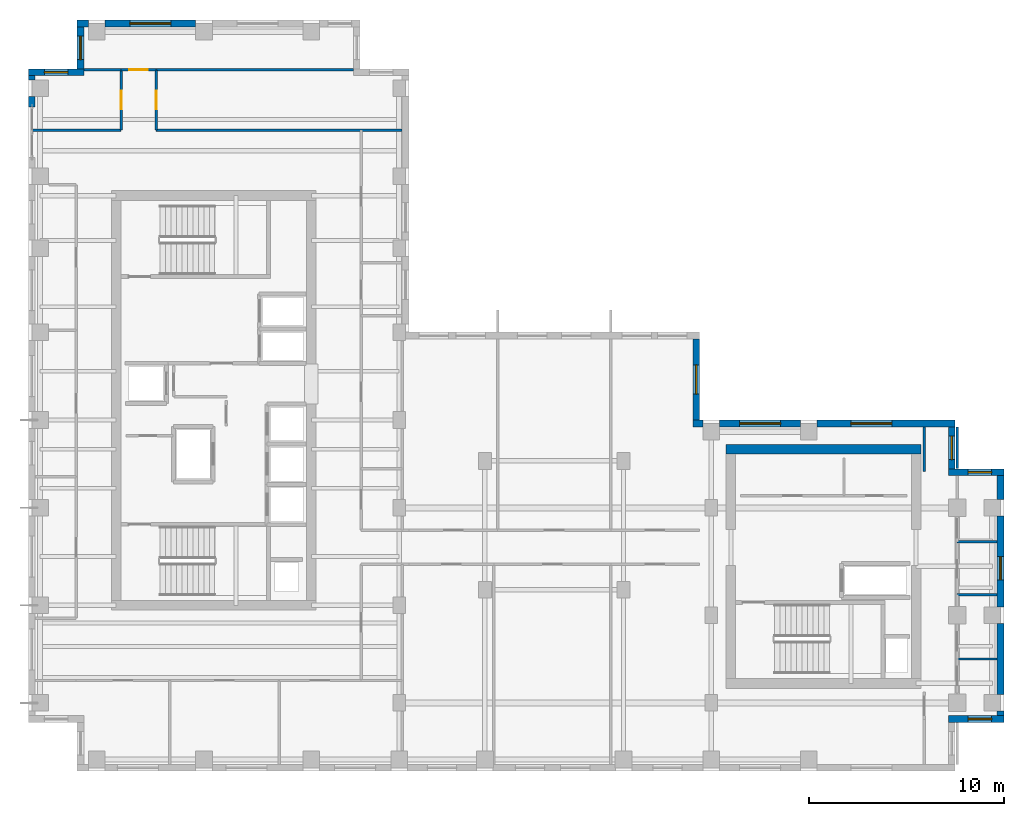
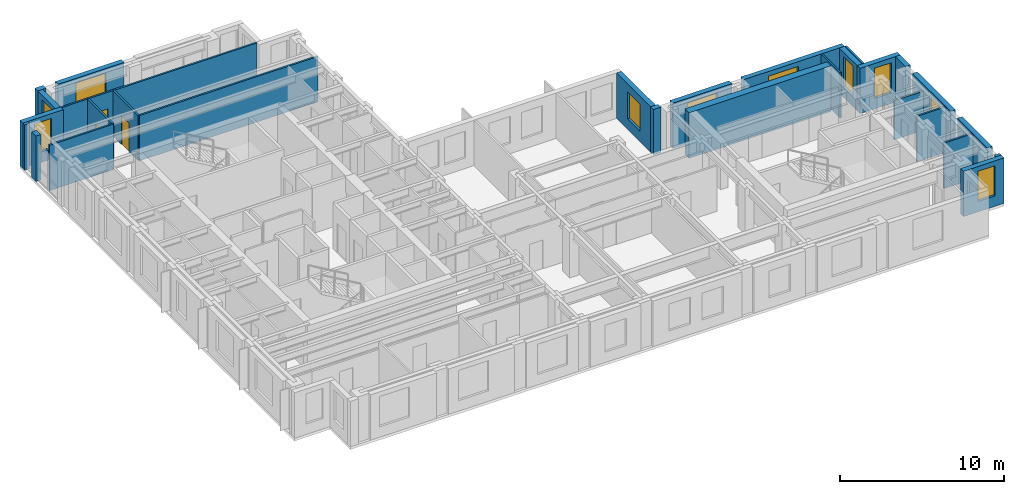
# One storey, part 10 of 13: 30 walls, 10 windows, 3 doors, 13 openings.
"""IFC4 building model written with IfcOpenShell, lengths in metres."""

from ifc_helpers import new_model, si_unit, direction, frame, frame_2d, origin, place, context, subcontext, project, spatial, rectangle, extrude, source, transform, mapped, material, layer, layer_set, type_object, element, fill, save


model = new_model("IFC4")

# Units and contexts
model_context = context("Model", 3, precision=1e-05, world=origin(), true_north=direction((0.0, 1.0)))
body_context = subcontext(model_context, "Body", "Model", "MODEL_VIEW")
ifc_project = project(units=[si_unit("LENGTHUNIT", "METRE"), si_unit("AREAUNIT", "SQUARE_METRE"), si_unit("VOLUMEUNIT", "CUBIC_METRE"), si_unit("PLANEANGLEUNIT", "RADIAN"), si_unit("MASSUNIT", "GRAM", prefix="KILO")], contexts=[model_context])

# Site, building, storey
site_placement = place(None, origin())
site = spatial("IfcSite", under=ifc_project, at=site_placement, CompositionType="ELEMENT")
building_placement = place(site_placement, origin())
building = spatial("IfcBuilding", under=site, at=building_placement, Name="Kharzan Plaza Tower", CompositionType="ELEMENT")
storey_placement = place(building_placement, frame((0.0, 0.0, 252.0)))
storey = spatial("IfcBuildingStorey", under=building, at=storey_placement, Name="L68", CompositionType="ELEMENT", Elevation=252.0)

# Wall, opening, window
ifc_material_1 = material(Name="Concrete C40/50", Category="concrete")
ifc_layer_1 = layer(ifc_material_1, 0.35009765625)
ifc_layer_set_1 = layer_set([ifc_layer_1], Name="Concrete C40/50")
wall_type_1 = type_object("IfcWallType", Name="WL-EXT-MAS-Z4", PredefinedType="SOLIDWALL", material=ifc_layer_set_1)
wall_1_placement = place(storey_placement, frame((8.576904296875, 38.324951171875, 0.0), z_axis=(0.0, 0.0, 1.0), x_axis=(-1.0, 0.0, 0.0)))
wall_1 = element("IfcWall", 1, at=wall_1_placement, inside=storey, type_object=wall_type_1, Name="L68 Masonry-Frame Exterior Wall 10", PredefinedType="SOLIDWALL", context=body_context, shape_type="SweptSolid", body=[
    extrude(rectangle(XDim=4.65380859375, YDim=0.35009765625, at=frame_2d((2.326904296875, 0.0))), origin(), (0.0, 0.0, 1.0), 3.385009765625),
])
opening_1_placement = place(wall_1_placement, frame((1.277099609375, 0.0, 0.780029296875)))
opening_1 = element("IfcOpeningElement", 2, at=opening_1_placement, cuts=wall_1, Name="Opening W6", PredefinedType="OPENING", context=body_context, shape_type="SweptSolid", body=[
    extrude(rectangle(XDim=2.10009765625, YDim=2.25, at=frame_2d((1.050048828125, 1.125))), frame((0.0, 0.18505859375, 0.0), z_axis=(0.0, -1.0, 0.0), x_axis=(1.0, 0.0, 0.0)), (0.0, 0.0, 1.0), 0.3701171875),
])
ifc_material_2 = material(Name="Low-E Double Glazing", Category="glass")
window_type_1 = type_object("IfcWindowType", Name="WN-EXEC-2100x2250", PartitioningType="SINGLE_PANEL", PredefinedType="WINDOW", material=ifc_material_2)
shared_shape_1 = source(origin(), body_context, "Body", "SweptSolid", [
    extrude(rectangle(XDim=2.10009765625, YDim=2.25, at=frame_2d((1.050048828125, 1.125))), frame((0.0, 0.030029296875, 0.0), z_axis=(0.0, -1.0, 0.0), x_axis=(1.0, 0.0, 0.0)), (0.0, 0.0, 1.0), 0.06005859375),
])
window_1_placement = place(opening_1_placement, origin())
window_1 = element("IfcWindow", 3, at=window_1_placement, inside=storey, type_object=window_type_1, Name="L68 Recessed Solar-Control Window 10-1", OverallHeight=2.25, OverallWidth=2.10009765625, PartitioningType="SINGLE_PANEL", PredefinedType="WINDOW", context=body_context, shape_type="MappedRepresentation", body=[
    mapped(shared_shape_1, transform((0.0, 0.0, 0.0), x_axis=(1.0, 0.0, 0.0), y_axis=(0.0, 1.0, 0.0), z_axis=(0.0, 0.0, 1.0))),
])
fill(opening_1, window_1)

wall_2_placement = place(storey_placement, frame((2.675048828125, 38.152099609375, 0.0), z_axis=(0.0, 0.0, 1.0), x_axis=(0.0, -1.0, 0.0)))
wall_2 = element("IfcWall", 4, at=wall_2_placement, inside=storey, type_object=wall_type_1, Name="L68 Masonry-Frame Exterior Wall 12", PredefinedType="SOLIDWALL", context=body_context, shape_type="SweptSolid", body=[
    extrude(rectangle(XDim=2.154052734375, YDim=0.35009765625, at=frame_2d((1.0771484375, 0.0))), origin(), (0.0, 0.0, 1.0), 3.385009765625),
])
opening_2_placement = place(wall_2_placement, frame((0.47705078125, 0.0, 0.780029296875)))
opening_2 = element("IfcOpeningElement", 5, at=opening_2_placement, cuts=wall_2, Name="Opening W3", PredefinedType="OPENING", context=body_context, shape_type="SweptSolid", body=[
    extrude(rectangle(XDim=1.199951171875, YDim=2.25, at=frame_2d((0.60009765625, 1.125))), frame((0.0, 0.18505859375, 0.0), z_axis=(0.0, -1.0, 0.0), x_axis=(1.0, 0.0, 0.0)), (0.0, 0.0, 1.0), 0.3701171875),
])
window_type_2 = type_object("IfcWindowType", Name="WN-REC-1200x2100", PartitioningType="SINGLE_PANEL", PredefinedType="WINDOW", material=ifc_material_2)
shared_shape_2 = source(origin(), body_context, "Body", "SweptSolid", [
    extrude(rectangle(XDim=1.199951171875, YDim=2.25, at=frame_2d((0.60009765625, 1.125))), frame((0.0, 0.030029296875, 0.0), z_axis=(0.0, -1.0, 0.0), x_axis=(1.0, 0.0, 0.0)), (0.0, 0.0, 1.0), 0.06005859375),
])
window_2_placement = place(opening_2_placement, origin())
window_2 = element("IfcWindow", 6, at=window_2_placement, inside=storey, type_object=window_type_2, Name="L68 Recessed Solar-Control Window 12-1", OverallHeight=2.25, OverallWidth=1.199951171875, PartitioningType="SINGLE_PANEL", PredefinedType="WINDOW", context=body_context, shape_type="MappedRepresentation", body=[
    mapped(shared_shape_2, transform((0.0, 0.0, 0.0), x_axis=(1.0, 0.0, 0.0), y_axis=(0.0, 1.0, 0.0), z_axis=(0.0, 0.0, 1.0))),
])
fill(opening_2, window_2)

wall_3_placement = place(storey_placement, frame((2.85009765625, 35.824951171875, 0.0), z_axis=(0.0, 0.0, 1.0), x_axis=(-1.0, 0.0, 0.0)))
wall_3 = element("IfcWall", 7, at=wall_3_placement, inside=storey, type_object=wall_type_1, Name="L68 Masonry-Frame Exterior Wall 13", PredefinedType="SOLIDWALL", context=body_context, shape_type="SweptSolid", body=[
    extrude(rectangle(XDim=2.85009765625, YDim=0.35009765625, at=frame_2d((1.425048828125, 0.0))), origin(), (0.0, 0.0, 1.0), 3.385009765625),
])
opening_3_placement = place(wall_3_placement, frame((0.824951171875, 0.0, 0.780029296875)))
opening_3 = element("IfcOpeningElement", 8, at=opening_3_placement, cuts=wall_3, Name="Opening W3", PredefinedType="OPENING", context=body_context, shape_type="SweptSolid", body=[
    extrude(rectangle(XDim=1.199951171875, YDim=2.25, at=frame_2d((0.60009765625, 1.125))), frame((0.0, 0.18505859375, 0.0), z_axis=(0.0, -1.0, 0.0), x_axis=(1.0, 0.0, 0.0)), (0.0, 0.0, 1.0), 0.3701171875),
])
window_3_placement = place(opening_3_placement, origin())
window_3 = element("IfcWindow", 9, at=window_3_placement, inside=storey, type_object=window_type_2, Name="L68 Recessed Solar-Control Window 13-1", OverallHeight=2.25, OverallWidth=1.199951171875, PartitioningType="SINGLE_PANEL", PredefinedType="WINDOW", context=body_context, shape_type="MappedRepresentation", body=[
    mapped(shared_shape_2, transform((0.0, 0.0, 0.0), x_axis=(1.0, 0.0, 0.0), y_axis=(0.0, 1.0, 0.0), z_axis=(0.0, 0.0, 1.0))),
])
fill(opening_3, window_3)

wall_4_placement = place(storey_placement, frame((47.14990234375, 2.675048828125, 0.0), z_axis=(0.0, 0.0, 1.0), x_axis=(1.0, 0.0, 0.0)))
wall_4 = element("IfcWall", 10, at=wall_4_placement, inside=storey, type_object=wall_type_1, Name="L68 Masonry-Frame Exterior Wall 36", PredefinedType="SOLIDWALL", context=body_context, shape_type="SweptSolid", body=[
    extrude(rectangle(XDim=2.85009765625, YDim=0.35009765625, at=frame_2d((1.425048828125, 0.0))), origin(), (0.0, 0.0, 1.0), 3.385009765625),
])
opening_4_placement = place(wall_4_placement, frame((1.014892578125, 0.0, 0.780029296875)))
opening_4 = element("IfcOpeningElement", 11, at=opening_4_placement, cuts=wall_4, Name="Opening W3", PredefinedType="OPENING", context=body_context, shape_type="SweptSolid", body=[
    extrude(rectangle(XDim=1.199951171875, YDim=2.25, at=frame_2d((0.60009765625, 1.125))), frame((0.0, 0.18505859375, 0.0), z_axis=(0.0, -1.0, 0.0), x_axis=(1.0, 0.0, 0.0)), (0.0, 0.0, 1.0), 0.3701171875),
])
window_4_placement = place(opening_4_placement, origin())
window_4 = element("IfcWindow", 12, at=window_4_placement, inside=storey, type_object=window_type_2, Name="L68 Recessed Solar-Control Window 36-1", OverallHeight=2.25, OverallWidth=1.199951171875, PartitioningType="SINGLE_PANEL", PredefinedType="WINDOW", context=body_context, shape_type="MappedRepresentation", body=[
    mapped(shared_shape_2, transform((0.0, 0.0, 0.0), x_axis=(1.0, 0.0, 0.0), y_axis=(0.0, 1.0, 0.0), z_axis=(0.0, 0.0, 1.0))),
])
fill(opening_4, window_4)

wall_5_placement = place(storey_placement, frame((49.824951171875, 8.423095703125, 0.0), z_axis=(0.0, 0.0, 1.0), x_axis=(0.0, 1.0, 0.0)))
wall_5 = element("IfcWall", 13, at=wall_5_placement, inside=storey, type_object=wall_type_1, Name="L68 Masonry-Frame Exterior Wall 39", PredefinedType="SOLIDWALL", context=body_context, shape_type="SweptSolid", body=[
    extrude(rectangle(XDim=4.65380859375, YDim=0.35009765625, at=frame_2d((2.326904296875, 0.0))), origin(), (0.0, 0.0, 1.0), 3.385009765625),
])
opening_5_placement = place(wall_5_placement, frame((1.376953125, 0.0, 0.780029296875)))
opening_5 = element("IfcOpeningElement", 14, at=opening_5_placement, cuts=wall_5, Name="Opening W3", PredefinedType="OPENING", context=body_context, shape_type="SweptSolid", body=[
    extrude(rectangle(XDim=1.199951171875, YDim=2.25, at=frame_2d((0.60009765625, 1.125))), frame((0.0, 0.18505859375, 0.0), z_axis=(0.0, -1.0, 0.0), x_axis=(1.0, 0.0, 0.0)), (0.0, 0.0, 1.0), 0.3701171875),
])
window_5_placement = place(opening_5_placement, origin())
window_5 = element("IfcWindow", 15, at=window_5_placement, inside=storey, type_object=window_type_2, Name="L68 Recessed Solar-Control Window 39-1", OverallHeight=2.25, OverallWidth=1.199951171875, PartitioningType="SINGLE_PANEL", PredefinedType="WINDOW", context=body_context, shape_type="MappedRepresentation", body=[
    mapped(shared_shape_2, transform((0.0, 0.0, 0.0), x_axis=(1.0, 0.0, 0.0), y_axis=(0.0, 1.0, 0.0), z_axis=(0.0, 0.0, 1.0))),
])
fill(opening_5, window_5)

wall_6_placement = place(storey_placement, frame((50.0, 15.324951171875, 0.0), z_axis=(0.0, 0.0, 1.0), x_axis=(-1.0, 0.0, 0.0)))
wall_6 = element("IfcWall", 16, at=wall_6_placement, inside=storey, type_object=wall_type_1, Name="L68 Masonry-Frame Exterior Wall 41", PredefinedType="SOLIDWALL", context=body_context, shape_type="SweptSolid", body=[
    extrude(rectangle(XDim=2.85009765625, YDim=0.35009765625, at=frame_2d((1.425048828125, 0.0))), origin(), (0.0, 0.0, 1.0), 3.385009765625),
])
opening_6_placement = place(wall_6_placement, frame((0.635009765625, 0.0, 0.780029296875)))
opening_6 = element("IfcOpeningElement", 17, at=opening_6_placement, cuts=wall_6, Name="Opening W3", PredefinedType="OPENING", context=body_context, shape_type="SweptSolid", body=[
    extrude(rectangle(XDim=1.199951171875, YDim=2.25, at=frame_2d((0.60009765625, 1.125))), frame((0.0, 0.18505859375, 0.0), z_axis=(0.0, -1.0, 0.0), x_axis=(1.0, 0.0, 0.0)), (0.0, 0.0, 1.0), 0.3701171875),
])
window_6_placement = place(opening_6_placement, origin())
window_6 = element("IfcWindow", 18, at=window_6_placement, inside=storey, type_object=window_type_2, Name="L68 Recessed Solar-Control Window 41-1", OverallHeight=2.25, OverallWidth=1.199951171875, PartitioningType="SINGLE_PANEL", PredefinedType="WINDOW", context=body_context, shape_type="MappedRepresentation", body=[
    mapped(shared_shape_2, transform((0.0, 0.0, 0.0), x_axis=(1.0, 0.0, 0.0), y_axis=(0.0, 1.0, 0.0), z_axis=(0.0, 0.0, 1.0))),
])
fill(opening_6, window_6)

wall_7_placement = place(storey_placement, frame((47.324951171875, 15.498046875, 0.0), z_axis=(0.0, 0.0, 1.0), x_axis=(0.0, 1.0, 0.0)))
wall_7 = element("IfcWall", 19, at=wall_7_placement, inside=storey, type_object=wall_type_1, Name="L68 Masonry-Frame Exterior Wall 42", PredefinedType="SOLIDWALL", context=body_context, shape_type="SweptSolid", body=[
    extrude(rectangle(XDim=2.154052734375, YDim=0.35009765625, at=frame_2d((1.0771484375, 0.0))), origin(), (0.0, 0.0, 1.0), 3.385009765625),
])
opening_7_placement = place(wall_7_placement, frame((0.47705078125, 0.0, 0.780029296875)))
opening_7 = element("IfcOpeningElement", 20, at=opening_7_placement, cuts=wall_7, Name="Opening W3", PredefinedType="OPENING", context=body_context, shape_type="SweptSolid", body=[
    extrude(rectangle(XDim=1.199951171875, YDim=2.25, at=frame_2d((0.60009765625, 1.125))), frame((0.0, 0.18505859375, 0.0), z_axis=(0.0, -1.0, 0.0), x_axis=(1.0, 0.0, 0.0)), (0.0, 0.0, 1.0), 0.3701171875),
])
window_7_placement = place(opening_7_placement, origin())
window_7 = element("IfcWindow", 21, at=window_7_placement, inside=storey, type_object=window_type_2, Name="L68 Recessed Solar-Control Window 42-1", OverallHeight=2.25, OverallWidth=1.199951171875, PartitioningType="SINGLE_PANEL", PredefinedType="WINDOW", context=body_context, shape_type="MappedRepresentation", body=[
    mapped(shared_shape_2, transform((0.0, 0.0, 0.0), x_axis=(1.0, 0.0, 0.0), y_axis=(0.0, 1.0, 0.0), z_axis=(0.0, 0.0, 1.0))),
])
fill(opening_7, window_7)

wall_8_placement = place(storey_placement, frame((47.5, 17.824951171875, 0.0), z_axis=(0.0, 0.0, 1.0), x_axis=(-1.0, 0.0, 0.0)))
wall_8 = element("IfcWall", 22, at=wall_8_placement, inside=storey, type_object=wall_type_1, Name="L68 Masonry-Frame Exterior Wall 43", PredefinedType="SOLIDWALL", context=body_context, shape_type="SweptSolid", body=[
    extrude(rectangle(XDim=7.076904296875, YDim=0.35009765625, at=frame_2d((3.53857421875, 0.0))), origin(), (0.0, 0.0, 1.0), 3.385009765625),
])
opening_8_placement = place(wall_8_placement, frame((3.243408203125, 0.0, 0.780029296875)))
opening_8 = element("IfcOpeningElement", 23, at=opening_8_placement, cuts=wall_8, Name="Opening W6", PredefinedType="OPENING", context=body_context, shape_type="SweptSolid", body=[
    extrude(rectangle(XDim=2.10009765625, YDim=2.25, at=frame_2d((1.050048828125, 1.125))), frame((0.0, 0.18505859375, 0.0), z_axis=(0.0, -1.0, 0.0), x_axis=(1.0, 0.0, 0.0)), (0.0, 0.0, 1.0), 0.3701171875),
])
window_8_placement = place(opening_8_placement, origin())
window_8 = element("IfcWindow", 24, at=window_8_placement, inside=storey, type_object=window_type_1, Name="L68 Recessed Solar-Control Window 43-1", OverallHeight=2.25, OverallWidth=2.10009765625, PartitioningType="SINGLE_PANEL", PredefinedType="WINDOW", context=body_context, shape_type="MappedRepresentation", body=[
    mapped(shared_shape_1, transform((0.0, 0.0, 0.0), x_axis=(1.0, 0.0, 0.0), y_axis=(0.0, 1.0, 0.0), z_axis=(0.0, 0.0, 1.0))),
])
fill(opening_8, window_8)

wall_9_placement = place(storey_placement, frame((39.576904296875, 17.824951171875, 0.0), z_axis=(0.0, 0.0, 1.0), x_axis=(-1.0, 0.0, 0.0)))
wall_9 = element("IfcWall", 25, at=wall_9_placement, inside=storey, type_object=wall_type_1, Name="L68 Masonry-Frame Exterior Wall 44", PredefinedType="SOLIDWALL", context=body_context, shape_type="SweptSolid", body=[
    extrude(rectangle(XDim=4.15380859375, YDim=0.35009765625, at=frame_2d((2.076904296875, 0.0))), origin(), (0.0, 0.0, 1.0), 3.385009765625),
])
opening_9_placement = place(wall_9_placement, frame((1.027099609375, 0.0, 0.780029296875)))
opening_9 = element("IfcOpeningElement", 26, at=opening_9_placement, cuts=wall_9, Name="Opening W6", PredefinedType="OPENING", context=body_context, shape_type="SweptSolid", body=[
    extrude(rectangle(XDim=2.10009765625, YDim=2.25, at=frame_2d((1.050048828125, 1.125))), frame((0.0, 0.18505859375, 0.0), z_axis=(0.0, -1.0, 0.0), x_axis=(1.0, 0.0, 0.0)), (0.0, 0.0, 1.0), 0.3701171875),
])
window_9_placement = place(opening_9_placement, origin())
window_9 = element("IfcWindow", 27, at=window_9_placement, inside=storey, type_object=window_type_1, Name="L68 Recessed Solar-Control Window 44-1", OverallHeight=2.25, OverallWidth=2.10009765625, PartitioningType="SINGLE_PANEL", PredefinedType="WINDOW", context=body_context, shape_type="MappedRepresentation", body=[
    mapped(shared_shape_1, transform((0.0, 0.0, 0.0), x_axis=(1.0, 0.0, 0.0), y_axis=(0.0, 1.0, 0.0), z_axis=(0.0, 0.0, 1.0))),
])
fill(opening_9, window_9)

wall_10_placement = place(storey_placement, frame((34.22509765625, 17.998046875, 0.0), z_axis=(0.0, 0.0, 1.0), x_axis=(0.0, 1.0, 0.0)))
wall_10 = element("IfcWall", 28, at=wall_10_placement, inside=storey, type_object=wall_type_1, Name="L68 Masonry-Frame Exterior Wall 46", PredefinedType="SOLIDWALL", context=body_context, shape_type="SweptSolid", body=[
    extrude(rectangle(XDim=4.154052734375, YDim=0.35009765625, at=frame_2d((2.0771484375, 0.0))), origin(), (0.0, 0.0, 1.0), 3.385009765625),
])
opening_10_placement = place(wall_10_placement, frame((1.326904296875, 0.0, 0.780029296875)))
opening_10 = element("IfcOpeningElement", 29, at=opening_10_placement, cuts=wall_10, Name="Opening W5", PredefinedType="OPENING", context=body_context, shape_type="SweptSolid", body=[
    extrude(rectangle(XDim=1.5, YDim=2.0, at=frame_2d((0.75, 1.0))), frame((0.0, 0.18505859375, 0.0), z_axis=(0.0, -1.0, 0.0), x_axis=(1.0, 0.0, 0.0)), (0.0, 0.0, 1.0), 0.3701171875),
])
window_type_3 = type_object("IfcWindowType", Name="WN-SLT-1500x2000", PartitioningType="SINGLE_PANEL", PredefinedType="WINDOW", material=ifc_material_2)
shared_shape_3 = source(origin(), body_context, "Body", "SweptSolid", [
    extrude(rectangle(XDim=1.5, YDim=2.0, at=frame_2d((0.75, 1.0))), frame((0.0, 0.030029296875, 0.0), z_axis=(0.0, -1.0, 0.0), x_axis=(1.0, 0.0, 0.0)), (0.0, 0.0, 1.0), 0.06005859375),
])
window_10_placement = place(opening_10_placement, origin())
window_10 = element("IfcWindow", 30, at=window_10_placement, inside=storey, type_object=window_type_3, Name="L68 Recessed Solar-Control Window 46-1", OverallHeight=2.0, OverallWidth=1.5, PartitioningType="SINGLE_PANEL", PredefinedType="WINDOW", context=body_context, shape_type="MappedRepresentation", body=[
    mapped(shared_shape_3, transform((0.0, 0.0, 0.0), x_axis=(1.0, 0.0, 0.0), y_axis=(0.0, 1.0, 0.0), z_axis=(0.0, 0.0, 1.0))),
])
fill(opening_10, window_10)

# Wall, opening, door
ifc_material_3 = material(Name="Fire-Rated Gypsum Board Partition", Category="gypsum")
ifc_layer_2 = layer(ifc_material_3, 0.125)
ifc_layer_set_2 = layer_set([ifc_layer_2], Name="Fire-Rated Gypsum Board Partition")
wall_type_2 = type_object("IfcWallType", Name="WL-INT-PART-125", PredefinedType="PARTITIONING", material=ifc_layer_set_2)
wall_11_placement = place(storey_placement, frame((6.550048828125, 32.85009765625, 0.0), z_axis=(0.0, 0.0, 1.0), x_axis=(0.0, 1.0, 0.0)))
wall_11 = element("IfcWall", 31, at=wall_11_placement, inside=storey, type_object=wall_type_2, Name="L68 Interior Partition SH-SPE-1", PredefinedType="PARTITIONING", context=body_context, shape_type="SweptSolid", body=[
    extrude(rectangle(XDim=3.099853515625, YDim=0.125, at=frame_2d((1.5498046875, 0.0))), origin(), (0.0, 0.0, 1.0), 3.385009765625),
])
opening_11_placement = place(wall_11_placement, frame((1.074951171875, 0.0, 0.0)))
opening_11 = element("IfcOpeningElement", 32, at=opening_11_placement, cuts=wall_11, Name="Opening OD1", PredefinedType="OPENING", context=body_context, shape_type="SweptSolid", body=[
    extrude(rectangle(XDim=0.949951171875, YDim=2.14990234375, at=frame_2d((0.47509765625, 1.074951171875))), frame((0.0, 0.072509765625, 0.0), z_axis=(0.0, -1.0, 0.0), x_axis=(1.0, 0.0, 0.0)), (0.0, 0.0, 1.0), 0.14501953125),
])
ifc_material_4 = material(Name="Acoustic Solid-Core Stained Oak", Category="timber")
door_type = type_object("IfcDoorType", Name="DR-OFF-SINGLE", OperationType="NOTDEFINED", PredefinedType="DOOR", material=ifc_material_4)
shared_shape_4 = source(origin(), body_context, "Body", "SweptSolid", [
    extrude(rectangle(XDim=0.949951171875, YDim=2.14990234375, at=frame_2d((0.47509765625, 1.074951171875))), frame((0.0, 0.02490234375, 0.0), z_axis=(0.0, -1.0, 0.0), x_axis=(1.0, 0.0, 0.0)), (0.0, 0.0, 1.0), 0.050048828125),
])
door_1_placement = place(opening_11_placement, origin())
door_1 = element("IfcDoor", 33, at=door_1_placement, inside=storey, type_object=door_type, Name="L68 Materials Testing Lab Door", OperationType="SINGLE_SWING_RIGHT", OverallHeight=2.14990234375, OverallWidth=0.949951171875, PredefinedType="DOOR", context=body_context, shape_type="MappedRepresentation", body=[
    mapped(shared_shape_4, transform((0.0, 0.0, 0.0), x_axis=(1.0, 0.0, 0.0), y_axis=(0.0, 1.0, 0.0), z_axis=(0.0, 0.0, 1.0))),
])
fill(opening_11, door_1)

wall_12_placement = place(storey_placement, frame((4.75, 35.949951171875, 0.0), z_axis=(0.0, 0.0, 1.0), x_axis=(1.0, 0.0, 0.0)))
wall_12 = element("IfcWall", 34, at=wall_12_placement, inside=storey, type_object=wall_type_2, Name="L68 Interior Partition SH-SPHD", PredefinedType="PARTITIONING", context=body_context, shape_type="SweptSolid", body=[
    extrude(rectangle(XDim=1.800048828125, YDim=0.125, at=frame_2d((0.89990234375, 0.0))), origin(), (0.0, 0.0, 1.0), 3.385009765625),
])
opening_12_placement = place(wall_12_placement, frame((0.425048828125, 0.0, 0.0)))
opening_12 = element("IfcOpeningElement", 35, at=opening_12_placement, cuts=wall_12, Name="Opening OD1", PredefinedType="OPENING", context=body_context, shape_type="SweptSolid", body=[
    extrude(rectangle(XDim=0.949951171875, YDim=2.14990234375, at=frame_2d((0.47509765625, 1.074951171875))), frame((0.0, 0.072509765625, 0.0), z_axis=(0.0, -1.0, 0.0), x_axis=(1.0, 0.0, 0.0)), (0.0, 0.0, 1.0), 0.14501953125),
])
door_2_placement = place(opening_12_placement, origin())
door_2 = element("IfcDoor", 36, at=door_2_placement, inside=storey, type_object=door_type, Name="L68 North Boardroom Door", OperationType="SINGLE_SWING_LEFT", OverallHeight=2.14990234375, OverallWidth=0.949951171875, PredefinedType="DOOR", context=body_context, shape_type="MappedRepresentation", body=[
    mapped(shared_shape_4, transform((0.0, 0.0, 0.0), x_axis=(1.0, 0.0, 0.0), y_axis=(0.0, 1.0, 0.0), z_axis=(0.0, 0.0, 1.0))),
])
fill(opening_12, door_2)

wall_13_placement = place(storey_placement, frame((4.75, 32.85009765625, 0.0), z_axis=(0.0, 0.0, 1.0), x_axis=(0.0, 1.0, 0.0)))
wall_13 = element("IfcWall", 37, at=wall_13_placement, inside=storey, type_object=wall_type_2, Name="L68 Interior Partition SH-SPW-1", PredefinedType="PARTITIONING", context=body_context, shape_type="SweptSolid", body=[
    extrude(rectangle(XDim=3.099853515625, YDim=0.125, at=frame_2d((1.5498046875, 0.0))), origin(), (0.0, 0.0, 1.0), 3.385009765625),
])
opening_13_placement = place(wall_13_placement, frame((1.074951171875, 0.0, 0.0)))
opening_13 = element("IfcOpeningElement", 38, at=opening_13_placement, cuts=wall_13, Name="Opening OD1", PredefinedType="OPENING", context=body_context, shape_type="SweptSolid", body=[
    extrude(rectangle(XDim=0.949951171875, YDim=2.14990234375, at=frame_2d((0.47509765625, 1.074951171875))), frame((0.0, 0.072509765625, 0.0), z_axis=(0.0, -1.0, 0.0), x_axis=(1.0, 0.0, 0.0)), (0.0, 0.0, 1.0), 0.14501953125),
])
door_3_placement = place(opening_13_placement, origin())
door_3 = element("IfcDoor", 39, at=door_3_placement, inside=storey, type_object=door_type, Name="L68 Staff Tea Pantry Door", OperationType="SINGLE_SWING_LEFT", OverallHeight=2.14990234375, OverallWidth=0.949951171875, PredefinedType="DOOR", context=body_context, shape_type="MappedRepresentation", body=[
    mapped(shared_shape_4, transform((0.0, 0.0, 0.0), x_axis=(1.0, 0.0, 0.0), y_axis=(0.0, 1.0, 0.0), z_axis=(0.0, 0.0, 1.0))),
])
fill(opening_13, door_3)

# Walls
shared_shape_5 = source(origin(), body_context, "Body", "SweptSolid", [
    extrude(rectangle(XDim=2.2978515625, YDim=0.125, at=frame_2d((1.14892578125, 0.0))), origin(), (0.0, 0.0, 1.0), 3.385009765625),
])
wall_14_placement = place(storey_placement, frame((45.919921875, 15.35009765625, 0.0), z_axis=(0.0, 0.0, 1.0), x_axis=(0.0, 1.0, 0.0)))
element("IfcWall", 40, at=wall_14_placement, inside=storey, type_object=wall_type_2, Name="L68 Interior Partition SH-RBNE0", PredefinedType="PARTITIONING", context=body_context, shape_type="MappedRepresentation", body=[
    mapped(shared_shape_5, transform((0.0, 0.0, 0.0), x_axis=(1.0, 0.0, 0.0), y_axis=(0.0, 1.0, 0.0), z_axis=(0.0, 0.0, 1.0))),
])
shared_shape_6 = source(origin(), body_context, "Body", "SweptSolid", [
    extrude(rectangle(XDim=12.597900390625, YDim=0.125, at=frame_2d((6.298828125, 0.0))), origin(), (0.0, 0.0, 1.0), 3.385009765625),
])
wall_15_placement = place(storey_placement, frame((6.550048828125, 32.85009765625, 0.0), z_axis=(0.0, 0.0, 1.0), x_axis=(1.0, 0.0, 0.0)))
element("IfcWall", 41, at=wall_15_placement, inside=storey, type_object=wall_type_2, Name="L68 Interior Partition SH-NNE", PredefinedType="PARTITIONING", context=body_context, shape_type="MappedRepresentation", body=[
    mapped(shared_shape_6, transform((0.0, 0.0, 0.0), x_axis=(1.0, 0.0, 0.0), y_axis=(0.0, 1.0, 0.0), z_axis=(0.0, 0.0, 1.0))),
])
shared_shape_7 = source(origin(), body_context, "Body", "SweptSolid", [
    extrude(rectangle(XDim=0.576904296875, YDim=0.35009765625, at=frame_2d((0.28857421875, 0.0))), origin(), (0.0, 0.0, 1.0), 3.385009765625),
])
wall_16_placement = place(storey_placement, frame((3.076904296875, 38.324951171875, 0.0), z_axis=(0.0, 0.0, 1.0), x_axis=(-1.0, 0.0, 0.0)))
element("IfcWall", 42, at=wall_16_placement, inside=storey, type_object=wall_type_1, Name="L68 Masonry-Frame Exterior Wall 11", PredefinedType="SOLIDWALL", context=body_context, shape_type="MappedRepresentation", body=[
    mapped(shared_shape_7, transform((0.0, 0.0, 0.0), x_axis=(1.0, 0.0, 0.0), y_axis=(0.0, 1.0, 0.0), z_axis=(0.0, 0.0, 1.0))),
])
shared_shape_8 = source(origin(), body_context, "Body", "SweptSolid", [
    extrude(rectangle(XDim=0.22900390625, YDim=0.35009765625, at=frame_2d((0.114501953125, 0.0))), origin(), (0.0, 0.0, 1.0), 3.385009765625),
])
for number, where, z_axis, x_axis, name in (
    (43, (0.175048828125, 35.652099609375, 0.0), (0.0, 0.0, 1.0), (0.0, -1.0, 0.0), "L68 Masonry-Frame Exterior Wall 14"),
    (44, (49.824951171875, 2.847900390625, 0.0), (0.0, 0.0, 1.0), (0.0, 1.0, 0.0), "L68 Masonry-Frame Exterior Wall 37"),
):
    element("IfcWall", number, at=place(storey_placement, frame(where, z_axis=z_axis, x_axis=x_axis)), inside=storey, type_object=wall_type_1, Name=name, PredefinedType="SOLIDWALL", context=body_context, shape_type="MappedRepresentation", body=[
        mapped(shared_shape_8, transform((0.0, 0.0, 0.0), x_axis=(1.0, 0.0, 0.0), y_axis=(0.0, 1.0, 0.0), z_axis=(0.0, 0.0, 1.0))),
    ])
shared_shape_9 = source(origin(), body_context, "Body", "SweptSolid", [
    extrude(rectangle(XDim=0.52685546875, YDim=0.35009765625, at=frame_2d((0.263427734375, 0.0))), origin(), (0.0, 0.0, 1.0), 3.385009765625),
])
for number, where, z_axis, x_axis, name in (
    (45, (0.175048828125, 34.576904296875, 0.0), (0.0, 0.0, 1.0), (0.0, -1.0, 0.0), "L68 Masonry-Frame Exterior Wall 15"),
    (46, (34.576904296875, 17.824951171875, 0.0), (0.0, 0.0, 1.0), (-1.0, 0.0, 0.0), "L68 Masonry-Frame Exterior Wall 45"),
):
    element("IfcWall", number, at=place(storey_placement, frame(where, z_axis=z_axis, x_axis=x_axis)), inside=storey, type_object=wall_type_1, Name=name, PredefinedType="SOLIDWALL", context=body_context, shape_type="MappedRepresentation", body=[
        mapped(shared_shape_9, transform((0.0, 0.0, 0.0), x_axis=(1.0, 0.0, 0.0), y_axis=(0.0, 1.0, 0.0), z_axis=(0.0, 0.0, 1.0))),
    ])
shared_shape_10 = source(origin(), body_context, "Body", "SweptSolid", [
    extrude(rectangle(XDim=3.65380859375, YDim=0.35009765625, at=frame_2d((1.826904296875, 0.0))), origin(), (0.0, 0.0, 1.0), 3.385009765625),
])
wall_17_placement = place(storey_placement, frame((49.824951171875, 3.923095703125, 0.0), z_axis=(0.0, 0.0, 1.0), x_axis=(0.0, 1.0, 0.0)))
element("IfcWall", 47, at=wall_17_placement, inside=storey, type_object=wall_type_1, Name="L68 Masonry-Frame Exterior Wall 38", PredefinedType="SOLIDWALL", context=body_context, shape_type="MappedRepresentation", body=[
    mapped(shared_shape_10, transform((0.0, 0.0, 0.0), x_axis=(1.0, 0.0, 0.0), y_axis=(0.0, 1.0, 0.0), z_axis=(0.0, 0.0, 1.0))),
])
shared_shape_11 = source(origin(), body_context, "Body", "SweptSolid", [
    extrude(rectangle(XDim=1.22900390625, YDim=0.35009765625, at=frame_2d((0.614501953125, 0.0))), origin(), (0.0, 0.0, 1.0), 3.385009765625),
])
wall_18_placement = place(storey_placement, frame((49.824951171875, 13.923095703125, 0.0), z_axis=(0.0, 0.0, 1.0), x_axis=(0.0, 1.0, 0.0)))
element("IfcWall", 48, at=wall_18_placement, inside=storey, type_object=wall_type_1, Name="L68 Masonry-Frame Exterior Wall 40", PredefinedType="SOLIDWALL", context=body_context, shape_type="MappedRepresentation", body=[
    mapped(shared_shape_11, transform((0.0, 0.0, 0.0), x_axis=(1.0, 0.0, 0.0), y_axis=(0.0, 1.0, 0.0), z_axis=(0.0, 0.0, 1.0))),
])
shared_shape_12 = source(origin(), body_context, "Body", "SweptSolid", [
    extrude(rectangle(XDim=2.0478515625, YDim=0.125, at=frame_2d((1.02392578125, 0.0))), origin(), (0.0, 0.0, 1.0), 3.385009765625),
])
for number, where, z_axis, x_axis, name in (
    (49, (47.60009765625, 5.75, 0.0), (0.0, 0.0, 1.0), (1.0, 0.0, 0.0), "L68 Interior Partition SH-B3H-57"),
    (50, (47.60009765625, 9.050048828125, 0.0), (0.0, 0.0, 1.0), (1.0, 0.0, 0.0), "L68 Interior Partition SH-B3H-90"),
):
    element("IfcWall", number, at=place(storey_placement, frame(where, z_axis=z_axis, x_axis=x_axis)), inside=storey, type_object=wall_type_2, Name=name, PredefinedType="PARTITIONING", context=body_context, shape_type="MappedRepresentation", body=[
        mapped(shared_shape_12, transform((0.0, 0.0, 0.0), x_axis=(1.0, 0.0, 0.0), y_axis=(0.0, 1.0, 0.0), z_axis=(0.0, 0.0, 1.0))),
    ])
shared_shape_13 = source(origin(), body_context, "Body", "SweptSolid", [
    extrude(rectangle(XDim=2.14794921875, YDim=0.125, at=frame_2d((1.073974609375, 0.0))), origin(), (0.0, 0.0, 1.0), 3.385009765625),
])
wall_19_placement = place(storey_placement, frame((47.60009765625, 15.501953125, 0.0), z_axis=(0.0, 0.0, 1.0), x_axis=(0.0, 1.0, 0.0)))
element("IfcWall", 51, at=wall_19_placement, inside=storey, type_object=wall_type_2, Name="L68 Interior Partition SH-B3W2N", PredefinedType="PARTITIONING", context=body_context, shape_type="MappedRepresentation", body=[
    mapped(shared_shape_13, transform((0.0, 0.0, 0.0), x_axis=(1.0, 0.0, 0.0), y_axis=(0.0, 1.0, 0.0), z_axis=(0.0, 0.0, 1.0))),
])
ifc_material_5 = material(Name="Concrete C50/60", Category="concrete")
ifc_layer_3 = layer(ifc_material_5, 0.5)
ifc_layer_set_3 = layer_set([ifc_layer_3], Name="Concrete C50/60")
wall_type_3 = type_object("IfcWallType", Name="WL-CORE-500", PredefinedType="SHEAR", material=ifc_layer_set_3)
shared_shape_14 = source(origin(), body_context, "Body", "SweptSolid", [
    extrude(rectangle(XDim=10.0, YDim=0.5, at=frame_2d((5.0, 0.0))), origin(), (0.0, 0.0, 1.0), 3.39990234375),
])
wall_20_placement = place(storey_placement, frame((35.75, 16.5, 0.0), z_axis=(0.0, 0.0, 1.0), x_axis=(1.0, 0.0, 0.0)))
element("IfcWall", 52, at=wall_20_placement, inside=storey, type_object=wall_type_3, Name="L68 CORE-B north RC shear wall", PredefinedType="SHEAR", context=body_context, shape_type="MappedRepresentation", body=[
    mapped(shared_shape_14, transform((0.0, 0.0, 0.0), x_axis=(1.0, 0.0, 0.0), y_axis=(0.0, 1.0, 0.0), z_axis=(0.0, 0.0, 1.0))),
])
shared_shape_15 = source(origin(), body_context, "Body", "SweptSolid", [
    extrude(rectangle(XDim=2.0478515625, YDim=0.125, at=frame_2d((1.02392578125, 0.0))), origin(), (0.0, 0.0, 1.0), 2.916015625),
])
wall_21_placement = place(storey_placement, frame((47.60009765625, 11.75, 0.0), z_axis=(0.0, 0.0, 1.0), x_axis=(1.0, 0.0, 0.0)))
element("IfcWall", 53, at=wall_21_placement, inside=storey, type_object=wall_type_2, Name="L68 Interior Partition SH-B3H-117", PredefinedType="PARTITIONING", context=body_context, shape_type="MappedRepresentation", body=[
    mapped(shared_shape_15, transform((0.0, 0.0, 0.0), x_axis=(1.0, 0.0, 0.0), y_axis=(0.0, 1.0, 0.0), z_axis=(0.0, 0.0, 1.0))),
])
shared_shape_16 = source(origin(), body_context, "Body", "SweptSolid", [
    extrude(rectangle(XDim=10.099853515625, YDim=0.125, at=frame_2d((5.0498046875, 0.0))), origin(), (0.0, 0.0, 1.0), 3.385009765625),
])
wall_22_placement = place(storey_placement, frame((6.550048828125, 35.949951171875, 0.0), z_axis=(0.0, 0.0, 1.0), x_axis=(1.0, 0.0, 0.0)))
element("IfcWall", 54, at=wall_22_placement, inside=storey, type_object=wall_type_2, Name="L68 Interior Partition SH-SPHE", PredefinedType="PARTITIONING", context=body_context, shape_type="MappedRepresentation", body=[
    mapped(shared_shape_16, transform((0.0, 0.0, 0.0), x_axis=(1.0, 0.0, 0.0), y_axis=(0.0, 1.0, 0.0), z_axis=(0.0, 0.0, 1.0))),
])
shared_shape_17 = source(origin(), body_context, "Body", "SweptSolid", [
    extrude(rectangle(XDim=1.89990234375, YDim=0.125, at=frame_2d((0.949951171875, 0.0))), origin(), (0.0, 0.0, 1.0), 3.385009765625),
])
wall_23_placement = place(storey_placement, frame((2.85009765625, 35.949951171875, 0.0), z_axis=(0.0, 0.0, 1.0), x_axis=(1.0, 0.0, 0.0)))
element("IfcWall", 55, at=wall_23_placement, inside=storey, type_object=wall_type_2, Name="L68 Interior Partition SH-SPHW", PredefinedType="PARTITIONING", context=body_context, shape_type="MappedRepresentation", body=[
    mapped(shared_shape_17, transform((0.0, 0.0, 0.0), x_axis=(1.0, 0.0, 0.0), y_axis=(0.0, 1.0, 0.0), z_axis=(0.0, 0.0, 1.0))),
])
shared_shape_18 = source(origin(), body_context, "Body", "SweptSolid", [
    extrude(rectangle(XDim=4.5400390625, YDim=0.125, at=frame_2d((2.27001953125, 0.0))), origin(), (0.0, 0.0, 1.0), 3.385009765625),
])
wall_24_placement = place(storey_placement, frame((0.2099609375, 32.85009765625, 0.0), z_axis=(0.0, 0.0, 1.0), x_axis=(1.0, 0.0, 0.0)))
element("IfcWall", 56, at=wall_24_placement, inside=storey, type_object=wall_type_2, Name="L68 Interior Partition SH-NNW", PredefinedType="PARTITIONING", context=body_context, shape_type="MappedRepresentation", body=[
    mapped(shared_shape_18, transform((0.0, 0.0, 0.0), x_axis=(1.0, 0.0, 0.0), y_axis=(0.0, 1.0, 0.0), z_axis=(0.0, 0.0, 1.0))),
])

save(model, "model.ifc")
